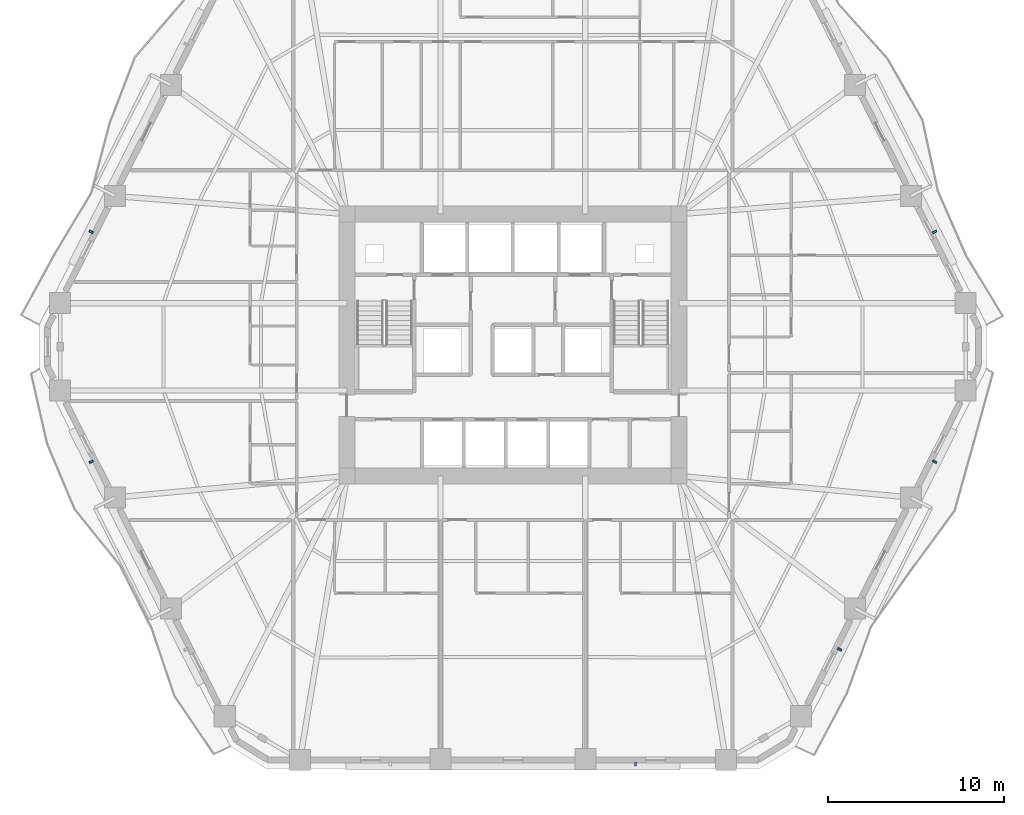
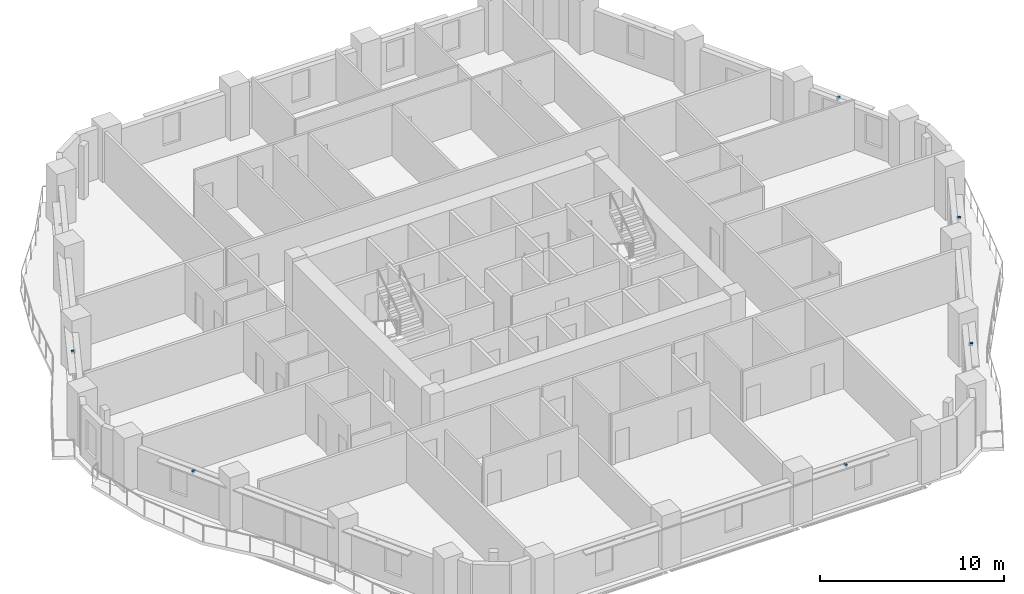
# One storey, part 9 of 14: 6 discrete accessories.
"""IFC4 building model written with IfcOpenShell, lengths in metres."""

from ifc_helpers import new_model, si_unit, direction, frame, origin, origin_2d, place, context, subcontext, project, spatial, rectangle, extrude, material, type_object, element, save


model = new_model("IFC4")

# Units and contexts
model_context = context("Model", 3, precision=1e-05, world=origin(), true_north=direction((0.0, 1.0)))
body_context = subcontext(model_context, "Body", "Model", "MODEL_VIEW")
ifc_project = project(units=[si_unit("LENGTHUNIT", "METRE"), si_unit("AREAUNIT", "SQUARE_METRE"), si_unit("VOLUMEUNIT", "CUBIC_METRE"), si_unit("PLANEANGLEUNIT", "RADIAN"), si_unit("MASSUNIT", "GRAM", prefix="KILO")], contexts=[model_context])

# Site, building, storey
site_placement = place(None, origin())
site = spatial("IfcSite", under=ifc_project, at=site_placement, CompositionType="ELEMENT")
building_placement = place(site_placement, origin())
building = spatial("IfcBuilding", under=site, at=building_placement, Name="Cinnabar Lancet Tower", CompositionType="ELEMENT")
storey_placement = place(building_placement, frame((0.0, 0.0, 39.10009765625)))
storey = spatial("IfcBuildingStorey", under=building, at=storey_placement, Name="L09", CompositionType="ELEMENT", Elevation=39.10009765625)

# Discrete accessories
ifc_material = material(Name="Stainless steel 316 facade fixing bracket", Category="steel")
discrete_accessory_type = type_object("IfcDiscreteAccessoryType", Name="ENV-ACC-BRK-180", PredefinedType="BRACKET", material=ifc_material)
for number, where, z_axis, x_axis, name in (
    (1, (39.383056640625, 2.06005859375, 2.60009765625), (0.0, 0.0, 1.0), (1.0, 0.0, 0.0), "L09 Face 1 Sunshade Bracket B"),
    (2, (50.993896484375, 8.5791015625, 2.60009765625), (0.0, 0.0, 1.0), (0.451500573218, 0.892270829056, 0.0), "L09 Face 2 Sunshade Bracket A"),
    (3, (56.39892578125, 19.260009765625, 2.60009765625), (0.0, 0.0, 1.0), (0.451500573218, 0.892270829056, 0.0), "L09 Face 2 Sunshade Bracket B"),
    (4, (56.39892578125, 32.340087890625, 2.60009765625), (0.0, 0.0, 1.0), (-0.451500573218, 0.892270829056, 0.0), "L09 Face 3 Sunshade Bracket A"),
    (5, (8.40087890625, 32.340087890625, 2.60009765625), (0.0, 0.0, 1.0), (-0.451500573218, -0.892270829056, 0.0), "L09 Face 5 Sunshade Bracket B"),
    (6, (8.40087890625, 19.260009765625, 2.60009765625), (0.0, 0.0, 1.0), (0.451500573218, -0.892270829056, 0.0), "L09 Face 6 Sunshade Bracket A"),
):
    element("IfcDiscreteAccessory", number, at=place(storey_placement, frame(where, z_axis=z_axis, x_axis=x_axis)), inside=storey, type_object=discrete_accessory_type, Name=name, PredefinedType="BRACKET", context=body_context, shape_type="SweptSolid", body=[
        extrude(rectangle(XDim=0.1201171875, YDim=0.239990234375, at=origin_2d()), origin(), (0.0, 0.0, 1.0), 0.159912109375),
    ])

save(model, "model.ifc")
